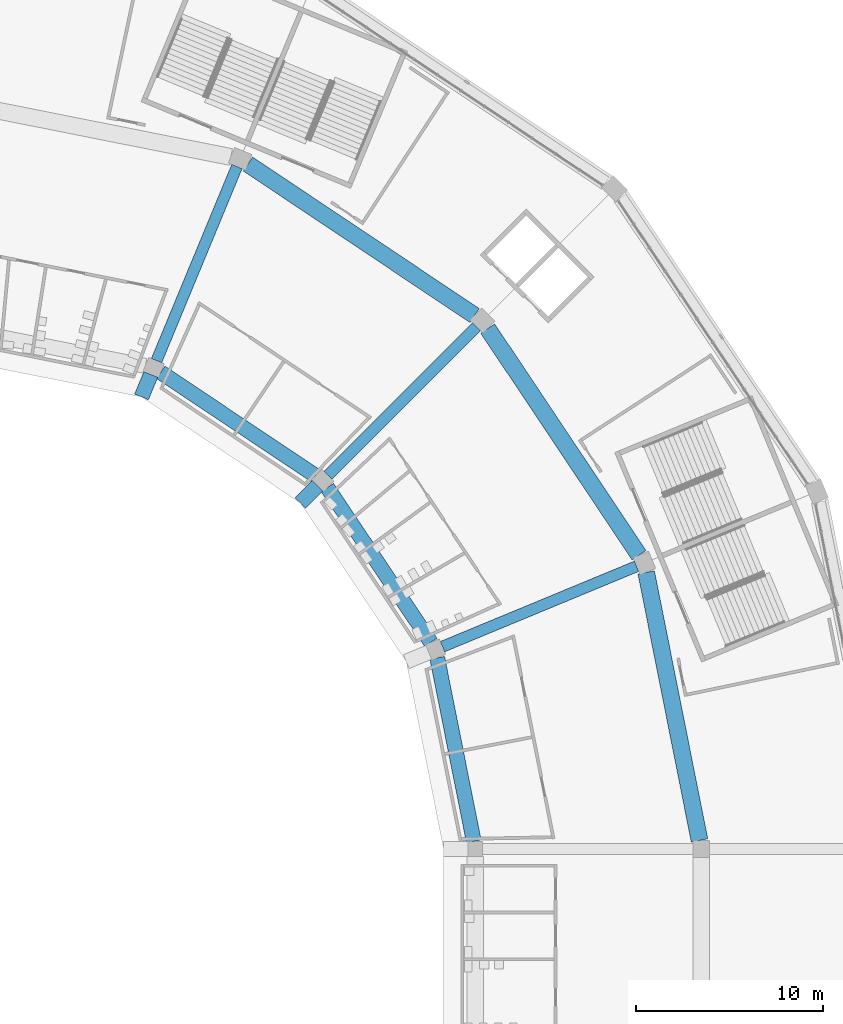
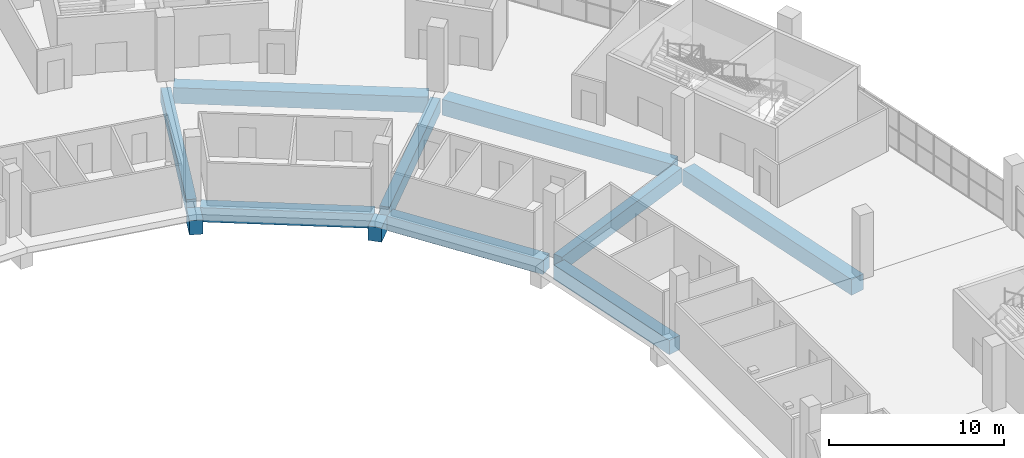
# One storey, part 51 of 199: 11 beams.
"""IFC4 building model written with IfcOpenShell, lengths in metres."""

from ifc_helpers import new_model, si_unit, direction, frame, origin, origin_2d, place, context, subcontext, project, spatial, rectangle, extrude, material, material_profile, profile_set, type_object, element, save


model = new_model("IFC4")

# Units and contexts
model_context = context("Model", 3, precision=1e-05, world=origin(), true_north=direction((0.0, 1.0)))
body_context = subcontext(model_context, "Body", "Model", "MODEL_VIEW")
ifc_project = project(units=[si_unit("LENGTHUNIT", "METRE"), si_unit("AREAUNIT", "SQUARE_METRE"), si_unit("VOLUMEUNIT", "CUBIC_METRE"), si_unit("PLANEANGLEUNIT", "RADIAN"), si_unit("MASSUNIT", "GRAM", prefix="KILO")], contexts=[model_context])

# Site, building, storey
site_placement = place(None, origin())
site = spatial("IfcSite", under=ifc_project, at=site_placement, CompositionType="ELEMENT")
building_placement = place(site_placement, origin())
building = spatial("IfcBuilding", under=site, at=building_placement, Name="Ogive Plaza Stadium", CompositionType="ELEMENT")
storey_placement = place(building_placement, frame((0.0, 0.0, 4.5)))
storey = spatial("IfcBuildingStorey", under=building, at=storey_placement, Name="L01", CompositionType="ELEMENT", Elevation=4.5)

# Beams
ifc_material_1 = material(Name="Concrete C40/50", Category="concrete")
ifc_material_profile_1 = material_profile(ifc_material_1, rectangle(XDim=0.60009765625, YDim=1.0, at=origin_2d()), Name="RC 600x1000")
ifc_profile_set_1 = profile_set([ifc_material_profile_1], Name="Concrete C40/50")
beam_type_1 = type_object("IfcBeamType", Name="RC radial beam 600x1000", PredefinedType="BEAM", material=ifc_profile_set_1)
beam_1_placement = place(storey_placement, frame((44.829833984375, 78.645751953125, -0.909912109375), z_axis=(0.382677616283, 0.92388194159, 0.0), x_axis=(-0.92388194159, 0.382677616283, 0.0)))
element("IfcBeam", 1, at=beam_1_placement, inside=storey, type_object=beam_type_1, Name="Radial beam L01 R38 F3F4", PredefinedType="BEAM", context=body_context, shape_type="SweptSolid", body=[
    extrude(rectangle(XDim=0.60009765625, YDim=1.0, at=origin_2d()), origin(), (0.0, 0.0, 1.0), 11.250244140625),
])
beam_2_placement = place(storey_placement, frame((54.01123046875, 72.51123046875, -0.909912109375), z_axis=(0.707106781187, 0.707106781187, 0.0), x_axis=(-0.707106781187, 0.707106781187, 0.0)))
element("IfcBeam", 2, at=beam_2_placement, inside=storey, type_object=beam_type_1, Name="Radial beam L01 R39 F3F4", PredefinedType="BEAM", context=body_context, shape_type="SweptSolid", body=[
    extrude(rectangle(XDim=0.60009765625, YDim=1.0, at=origin_2d()), origin(), (0.0, 0.0, 1.0), 11.249755859375),
])
beam_3_placement = place(storey_placement, frame((60.145751953125, 63.329833984375, -0.909912109375), z_axis=(0.92388194159, 0.382677616283, 0.0), x_axis=(-0.382677616283, 0.92388194159, 0.0)))
element("IfcBeam", 3, at=beam_3_placement, inside=storey, type_object=beam_type_1, Name="Radial beam L01 R40 F3F4", PredefinedType="BEAM", context=body_context, shape_type="SweptSolid", body=[
    extrude(rectangle(XDim=0.60009765625, YDim=1.0, at=origin_2d()), origin(), (0.0, 0.0, 1.0), 11.250244140625),
])
ifc_material_2 = material(Name="Concrete C40/50", Category="concrete")
ifc_material_profile_2 = material_profile(ifc_material_2, rectangle(XDim=0.800048828125, YDim=1.0, at=origin_2d()), Name="RC 800x1000")
ifc_profile_set_2 = profile_set([ifc_material_profile_2], Name="Concrete C40/50")
beam_type_2 = type_object("IfcBeamType", Name="RC radial beam 800x1000", PredefinedType="BEAM", material=ifc_profile_set_2)
beam_4_placement = place(storey_placement, frame((44.0263671875, 76.70556640625, -0.909912109375), z_axis=(0.382534239946, 0.923941315923, 0.0), x_axis=(-0.923941315923, 0.382534239946, 0.0)))
element("IfcBeam", 4, at=beam_4_placement, inside=storey, type_object=beam_type_2, Name="Raker tail beam LT R38", PredefinedType="BEAM", context=body_context, shape_type="SweptSolid", body=[
    extrude(rectangle(XDim=0.800048828125, YDim=1.0, at=origin_2d()), origin(), (0.0, 0.0, 1.0), 1.300048828125),
])
beam_5_placement = place(storey_placement, frame((52.526123046875, 71.026123046875, -0.909912109375), z_axis=(0.707106781187, 0.707106781187, 0.0), x_axis=(-0.707106781187, 0.707106781187, 0.0)))
element("IfcBeam", 5, at=beam_5_placement, inside=storey, type_object=beam_type_2, Name="Raker tail beam LT R39", PredefinedType="BEAM", context=body_context, shape_type="SweptSolid", body=[
    extrude(rectangle(XDim=0.800048828125, YDim=1.0, at=origin_2d()), origin(), (0.0, 0.0, 1.0), 1.30029296875),
])
ifc_material_3 = material(Name="Concrete C40/50", Category="concrete")
ifc_material_profile_3 = material_profile(ifc_material_3, rectangle(XDim=0.800048828125, YDim=1.0, at=origin_2d()), Name="RC 800x1000")
ifc_profile_set_3 = profile_set([ifc_material_profile_3], Name="Concrete C40/50")
beam_type_3 = type_object("IfcBeamType", Name="RC ring beam 800x1000", PredefinedType="BEAM", material=ifc_profile_set_3)
for number, where, z_axis, x_axis, name in (
    (6, (45.058349609375, 78.021240234375, -0.909912109375), (0.831469573595, -0.555570290949, 0.0), (0.555570290949, 0.831469573595, 0.0), "Ring beam F3 L01 B38"),
    (7, (53.983154296875, 71.8466796875, -0.909912109375), (0.555570290949, -0.831469573595, 0.0), (0.831469573595, 0.555570290949, 0.0), "Ring beam F3 L01 B39"),
):
    element("IfcBeam", number, at=place(storey_placement, frame(where, z_axis=z_axis, x_axis=x_axis)), inside=storey, type_object=beam_type_3, Name=name, PredefinedType="BEAM", context=body_context, shape_type="SweptSolid", body=[
        extrude(rectangle(XDim=0.800048828125, YDim=1.0, at=origin_2d()), origin(), (0.0, 0.0, 1.0), 9.96826171875),
    ])
beam_6_placement = place(storey_placement, frame((59.86572265625, 62.726806640625, -0.909912109375), z_axis=(0.195103876937, -0.980782584064, 0.0), x_axis=(0.980782584064, 0.195103876937, 0.0)))
element("IfcBeam", 8, at=beam_6_placement, inside=storey, type_object=beam_type_3, Name="Ring beam F3 L01 B40", PredefinedType="BEAM", context=body_context, shape_type="SweptSolid", body=[
    extrude(rectangle(XDim=0.800048828125, YDim=1.0, at=origin_2d()), origin(), (0.0, 0.0, 1.0), 10.01953125),
])
ifc_material_4 = material(Name="Concrete C40/50", Category="concrete")
ifc_material_profile_4 = material_profile(ifc_material_4, rectangle(XDim=0.89990234375, YDim=1.10009765625, at=origin_2d()), Name="RC 900x1100")
ifc_profile_set_4 = profile_set([ifc_material_profile_4], Name="Concrete C40/50")
beam_type_4 = type_object("IfcBeamType", Name="RC ring beam 900x1100", PredefinedType="BEAM", material=ifc_profile_set_4)
for number, where, z_axis, x_axis, name in (
    (9, (49.731201171875, 89.171875, -0.9599609375), (0.831467933961, -0.555572744827, 0.0), (0.555572744827, 0.831467933961, 0.0), "Ring beam F4 L01 B38"),
    (10, (62.5673828125, 80.3603515625, -0.9599609375), (0.555572744827, -0.831467933961, 0.0), (0.831467933961, 0.555572744827, 0.0), "Ring beam F4 L01 B39"),
):
    element("IfcBeam", number, at=place(storey_placement, frame(where, z_axis=z_axis, x_axis=x_axis)), inside=storey, type_object=beam_type_4, Name=name, PredefinedType="BEAM", context=body_context, shape_type="SweptSolid", body=[
        extrude(rectangle(XDim=0.89990234375, YDim=1.10009765625, at=origin_2d()), origin(), (0.0, 0.0, 1.0), 14.587646484375),
    ])
beam_7_placement = place(storey_placement, frame((71.0546875, 67.307373046875, -0.9599609375), z_axis=(0.195080078519, -0.980787317906, 0.0), x_axis=(0.980787317906, 0.195080078519, 0.0)))
element("IfcBeam", 11, at=beam_7_placement, inside=storey, type_object=beam_type_4, Name="Ring beam F4 L01 B40", PredefinedType="BEAM", context=body_context, shape_type="SweptSolid", body=[
    extrude(rectangle(XDim=0.89990234375, YDim=1.10009765625, at=origin_2d()), origin(), (0.0, 0.0, 1.0), 14.638671875),
])

save(model, "model.ifc")
